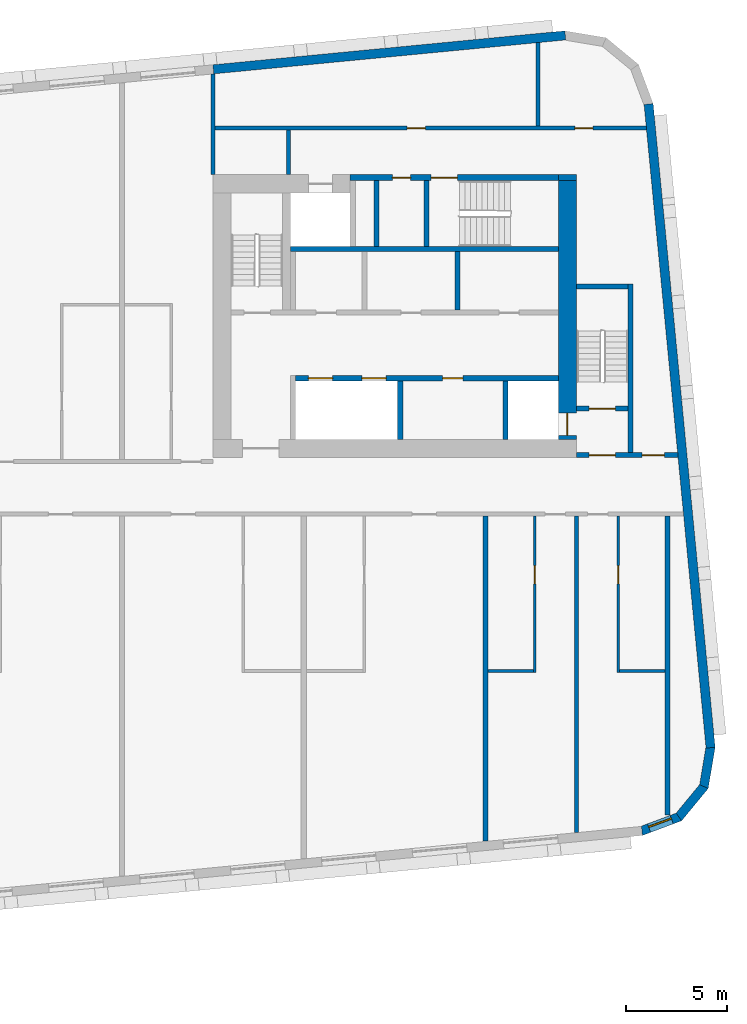
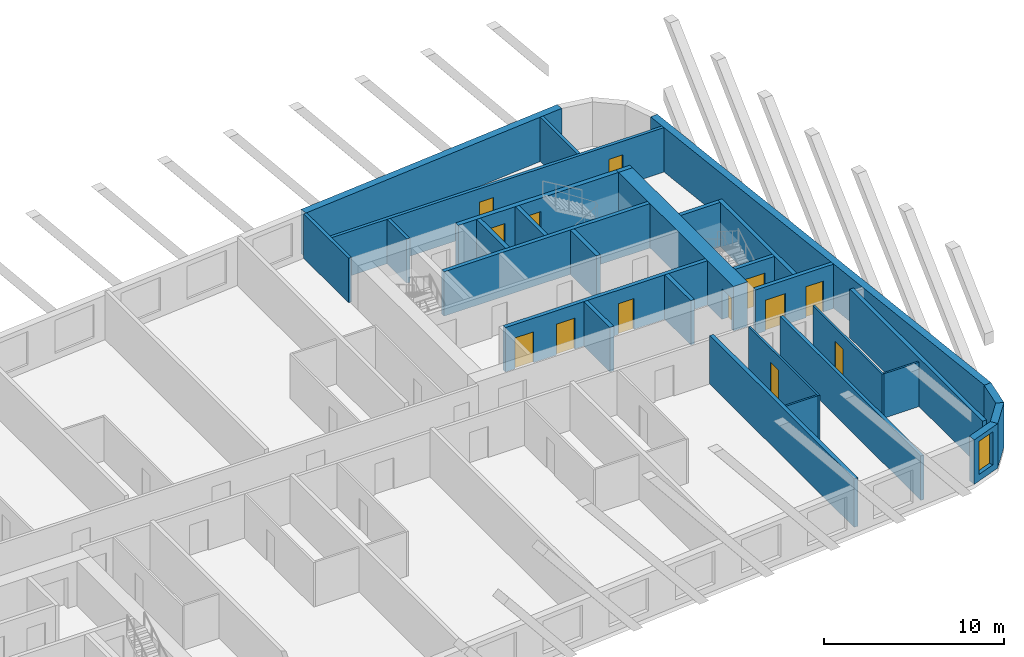
# One storey, part 6 of 12: 30 walls, 13 doors, 1 window, 14 openings.
"""IFC4 building model written with IfcOpenShell, lengths in metres."""

from ifc_helpers import new_model, si_unit, direction, frame, frame_2d, origin, place, context, subcontext, project, spatial, polyline, rectangle, outline, extrude, material, layer, layer_set, type_object, element, fill, save


model = new_model("IFC4")

# Units and contexts
model_context = context("Model", 3, precision=1e-05, world=origin(), true_north=direction((0.0, 1.0)))
body_context = subcontext(model_context, "Body", "Model", "MODEL_VIEW")
ifc_project = project(units=[si_unit("LENGTHUNIT", "METRE"), si_unit("AREAUNIT", "SQUARE_METRE"), si_unit("VOLUMEUNIT", "CUBIC_METRE"), si_unit("PLANEANGLEUNIT", "RADIAN"), si_unit("MASSUNIT", "GRAM", prefix="KILO")], contexts=[model_context])

# Site, building, storey
site_placement = place(None, origin())
site = spatial("IfcSite", under=ifc_project, at=site_placement, CompositionType="ELEMENT")
building_placement = place(site_placement, origin())
building = spatial("IfcBuilding", under=site, at=building_placement, Name="Kajstack Hotel Tower", CompositionType="ELEMENT")
storey_placement = place(building_placement, frame((0.0, 0.0, 268.5)))
storey = spatial("IfcBuildingStorey", under=building, at=storey_placement, Name="L66", CompositionType="ELEMENT", Elevation=268.5)

# Wall
ifc_material_1 = material(Name="Concrete C60/75", Category="concrete")
ifc_layer_1 = layer(ifc_material_1, 0.89990234375)
ifc_layer_set_1 = layer_set([ifc_layer_1], Name="Core wall 900")
wall_type_1 = type_object("IfcWallType", Name="Core wall 900", PredefinedType="SHEAR", material=ifc_layer_set_1)
wall_1_placement = place(storey_placement, frame((30.60009765625, 15.35009765625, 0.0), z_axis=(0.0, 0.0, 1.0), x_axis=(1.0, 0.0, 0.0)))
element("IfcWall", 1, at=wall_1_placement, inside=storey, type_object=wall_type_1, Name="Core wall E RSW", PredefinedType="SHEAR", context=body_context, shape_type="SweptSolid", body=[
    extrude(rectangle(XDim=0.89990234375, YDim=0.300048828125, at=frame_2d((0.449951171875, 0.0))), origin(), (0.0, 0.0, 1.0), 3.02001953125),
])

# Wall, opening, door
wall_2_placement = place(storey_placement, frame((31.050048828125, 2.39990234375, 0.0), z_axis=(0.0, 0.0, 1.0), x_axis=(0.0, 1.0, 0.0)))
wall_2 = element("IfcWall", 2, at=wall_2_placement, inside=storey, type_object=wall_type_1, Name="Core wall E RW", PredefinedType="SHEAR", context=body_context, shape_type="SweptSolid", body=[
    extrude(rectangle(XDim=12.800048828125, YDim=0.89990234375, at=frame_2d((6.39990234375, 0.0))), origin(), (0.0, 0.0, 1.0), 3.02001953125),
])
opening_1_placement = place(wall_2_placement, frame((0.199951171875, 0.0, 0.0)))
opening_1 = element("IfcOpeningElement", 3, at=opening_1_placement, cuts=wall_2, Name="Opening LD-FF2", PredefinedType="OPENING", context=body_context, shape_type="SweptSolid", body=[
    extrude(rectangle(XDim=1.10009765625, YDim=2.10009765625, at=frame_2d((0.550048828125, 1.050048828125))), frame((0.0, 0.4599609375, 0.0), z_axis=(0.0, -1.0, 0.0), x_axis=(1.0, 0.0, 0.0)), (0.0, 0.0, 1.0), 0.919921875),
])
ifc_material_2 = material(Name="Stainless steel", Category="steel")
door_type_1 = type_object("IfcDoorType", Name="Fire-fighting lift landing door 1100", OperationType="SLIDING_TO_LEFT", PredefinedType="DOOR", material=ifc_material_2)
door_1_placement = place(opening_1_placement, origin())
door_1 = element("IfcDoor", 4, at=door_1_placement, inside=storey, type_object=door_type_1, Name="Landing door FF2", OperationType="SLIDING_TO_LEFT", OverallHeight=2.10009765625, OverallWidth=1.10009765625, PredefinedType="DOOR", context=body_context, shape_type="SweptSolid", body=[
    extrude(rectangle(XDim=1.10009765625, YDim=2.10009765625, at=frame_2d((0.550048828125, 1.050048828125))), frame((0.0, 0.02490234375, 0.0), z_axis=(0.0, -1.0, 0.0), x_axis=(1.0, 0.0, 0.0)), (0.0, 0.0, 1.0), 0.050048828125),
])
fill(opening_1, door_1)

# Walls
ifc_material_3 = material(Name="Twin-frame gypsum board on steel studs, mineral wool", Category="steel")
ifc_layer_2 = layer(ifc_material_3, 0.199951171875)
ifc_layer_set_2 = layer_set([ifc_layer_2], Name="Demising wall 200")
wall_type_2 = type_object("IfcWallType", Name="Demising wall 200", PredefinedType="PARTITIONING", material=ifc_layer_set_2)
wall_3_placement = place(storey_placement, frame((13.5, 15.5, 0.0), z_axis=(0.0, 0.0, 1.0), x_axis=(0.0, 1.0, 0.0)))
element("IfcWall", 5, at=wall_3_placement, inside=storey, type_object=wall_type_2, Name="G-wall-L66-001", PredefinedType="PARTITIONING", context=body_context, shape_type="SweptSolid", body=[
    extrude(rectangle(XDim=4.985107421875, YDim=0.199951171875, at=frame_2d((2.49267578125, 0.0))), origin(), (0.0, 0.0, 1.0), 3.02001953125),
])
wall_4_placement = place(storey_placement, frame((31.5, -17.06298828125, 0.0), z_axis=(0.0, 0.0, 1.0), x_axis=(0.0, 1.0, 0.0)))
element("IfcWall", 6, at=wall_4_placement, inside=storey, type_object=wall_type_2, Name="G-wall-L66-029", PredefinedType="PARTITIONING", context=body_context, shape_type="SweptSolid", body=[
    extrude(rectangle(XDim=15.6630859375, YDim=0.199951171875, at=frame_2d((7.83154296875, 0.0))), origin(), (0.0, 0.0, 1.0), 3.02001953125),
])
ifc_material_4 = material(Name="Concrete C40/50", Category="concrete")
ifc_layer_3 = layer(ifc_material_4, 0.449951171875)
ifc_layer_set_3 = layer_set([ifc_layer_3], Name="EW-CORE")
wall_type_3 = type_object("IfcWallType", Name="EW-CORE", PredefinedType="SOLIDWALL", material=ifc_layer_set_3)
wall_5_placement = place(storey_placement, frame((30.94580078125, 22.390625, 0.0), z_axis=(0.0, 0.0, 1.0), x_axis=(-0.995396397117, -0.095843688398, 0.0)))
element("IfcWall", 7, at=wall_5_placement, inside=storey, type_object=wall_type_3, Name="E-wall-L66-12-00", PredefinedType="SOLIDWALL", context=body_context, shape_type="SweptSolid", body=[
    extrude(rectangle(XDim=17.5048828125, YDim=0.449951171875, at=frame_2d((8.75244140625, 0.0))), origin(), (0.0, 0.0, 1.0), 3.02001953125),
])

# Wall, opening, window
ifc_material_5 = material(Name="Terracotta-faced brick masonry", Category="masonry")
ifc_layer_4 = layer(ifc_material_5, 0.449951171875)
ifc_layer_set_4 = layer_set([ifc_layer_4], Name="EW-TERRA")
wall_type_4 = type_object("IfcWallType", Name="EW-TERRA", PredefinedType="SOLIDWALL", material=ifc_layer_set_4)
wall_6_placement = place(storey_placement, frame((34.67919921875, -16.990478515625, 0.0), z_axis=(0.0, 0.0, 1.0), x_axis=(0.936677599948, 0.350192909346, 0.0)))
wall_6 = element("IfcWall", 8, at=wall_6_placement, inside=storey, type_object=wall_type_4, Name="E-wall-L66-05-00", PredefinedType="SOLIDWALL", context=body_context, shape_type="SweptSolid", body=[
    extrude(outline(polyline([(0.0, -0.22509765625), (2.070556640625, -0.22509765625), (1.949951171875, 0.22509765625), (0.12060546875, 0.22509765625), (0.0, -0.22509765625)])), origin(), (0.0, 0.0, 1.0), 3.02001953125),
])
opening_2_placement = place(wall_6_placement, frame((0.435302734375, 0.0, 0.449951171875)))
opening_2 = element("IfcOpeningElement", 9, at=opening_2_placement, cuts=wall_6, Name="Opening W3", PredefinedType="OPENING", context=body_context, shape_type="SweptSolid", body=[
    extrude(rectangle(XDim=1.199951171875, YDim=2.25, at=frame_2d((0.60009765625, 1.125))), frame((0.0, 0.23486328125, 0.0), z_axis=(0.0, -1.0, 0.0), x_axis=(1.0, 0.0, 0.0)), (0.0, 0.0, 1.0), 0.469970703125),
])
ifc_material_6 = material(Name="Timber-aluminium window, triple glazed", Category="wood")
window_type = type_object("IfcWindowType", Name="WG3", PartitioningType="SINGLE_PANEL", PredefinedType="WINDOW", material=ifc_material_6)
window_placement = place(opening_2_placement, origin())
window = element("IfcWindow", 10, at=window_placement, inside=storey, type_object=window_type, Name="Window W3 L66-05", OverallHeight=2.25, OverallWidth=1.199951171875, PartitioningType="SINGLE_PANEL", PredefinedType="WINDOW", context=body_context, shape_type="SweptSolid", body=[
    extrude(rectangle(XDim=1.199951171875, YDim=2.25, at=frame_2d((0.60009765625, 1.125))), frame((0.0, 0.090087890625, 0.0), z_axis=(0.0, -1.0, 0.0), x_axis=(1.0, 0.0, 0.0)), (0.0, 0.0, 1.0), 0.06005859375),
])
fill(opening_2, window)

# Walls
wall_7_placement = place(storey_placement, frame((36.52392578125, -16.3330078125, 0.0), z_axis=(0.0, 0.0, 1.0), x_axis=(0.636046112757, 0.771651049663, 0.0)))
element("IfcWall", 11, at=wall_7_placement, inside=storey, type_object=wall_type_4, Name="E-wall-L66-06-00", PredefinedType="SOLIDWALL", context=body_context, shape_type="SweptSolid", body=[
    extrude(outline(polyline([(0.0, -0.224853515625), (2.070556640625, -0.22509765625), (1.949951171875, 0.22509765625), (0.12060546875, 0.22509765625), (0.0, -0.224853515625)])), origin(), (0.0, 0.0, 1.0), 3.02001953125),
])
wall_8_placement = place(storey_placement, frame((37.79248046875, -14.84130859375, 0.0), z_axis=(0.0, 0.0, 1.0), x_axis=(0.165068144653, 0.986282164302, 0.0)))
element("IfcWall", 12, at=wall_8_placement, inside=storey, type_object=wall_type_4, Name="E-wall-L66-07-00", PredefinedType="SOLIDWALL", context=body_context, shape_type="SweptSolid", body=[
    extrude(outline(polyline([(0.0, -0.22509765625), (2.070556640625, -0.22509765625), (1.949951171875, 0.224853515625), (0.12060546875, 0.224853515625), (0.0, -0.22509765625)])), origin(), (0.0, 0.0, 1.0), 3.02001953125),
])
wall_9_placement = place(storey_placement, frame((38.13232421875, -12.85791015625, 0.0), z_axis=(0.0, 0.0, 1.0), x_axis=(-0.095847749461, 0.995396006082, 0.0)))
element("IfcWall", 13, at=wall_9_placement, inside=storey, type_object=wall_type_4, Name="E-wall-L66-08-00", PredefinedType="SOLIDWALL", context=body_context, shape_type="SweptSolid", body=[
    extrude(rectangle(XDim=32.0, YDim=0.449951171875, at=frame_2d((16.0, 0.0))), origin(), (0.0, 0.0, 1.0), 3.02001953125),
])

# Wall, opening, door
ifc_material_7 = material(Name="Gypsum board and tiled backer on steel studs", Category="steel")
ifc_layer_5 = layer(ifc_material_7, 0.125)
ifc_layer_set_5 = layer_set([ifc_layer_5], Name="En-suite wall 125")
wall_type_5 = type_object("IfcWallType", Name="En-suite wall 125", PredefinedType="PARTITIONING", material=ifc_layer_set_5)
wall_10_placement = place(storey_placement, frame((29.43798828125, -9.125, 0.0), z_axis=(0.0, 0.0, 1.0), x_axis=(0.0, 1.0, 0.0)))
wall_10 = element("IfcWall", 14, at=wall_10_placement, inside=storey, type_object=wall_type_5, Name="G-wall-L66-030", PredefinedType="PARTITIONING", context=body_context, shape_type="SweptSolid", body=[
    extrude(rectangle(XDim=7.72509765625, YDim=0.125, at=frame_2d((3.862548828125, 0.0))), origin(), (0.0, 0.0, 1.0), 3.02001953125),
])
opening_3_placement = place(wall_10_placement, frame((4.375, 0.0, 0.0)))
opening_3 = element("IfcOpeningElement", 15, at=opening_3_placement, cuts=wall_10, Name="Opening 66026", PredefinedType="OPENING", context=body_context, shape_type="SweptSolid", body=[
    extrude(rectangle(XDim=0.89990234375, YDim=2.10009765625, at=frame_2d((0.449951171875, 1.050048828125))), frame((0.0, 0.072509765625, 0.0), z_axis=(0.0, -1.0, 0.0), x_axis=(1.0, 0.0, 0.0)), (0.0, 0.0, 1.0), 0.14501953125),
])
ifc_material_8 = material(Name="Painted timber door leaf", Category="wood")
door_type_2 = type_object("IfcDoorType", Name="Room door 900", OperationType="SINGLE_SWING_LEFT", PredefinedType="DOOR", material=ifc_material_8)
door_2_placement = place(opening_3_placement, origin())
door_2 = element("IfcDoor", 16, at=door_2_placement, inside=storey, type_object=door_type_2, Name="G-door-L66-26", OperationType="SINGLE_SWING_RIGHT", OverallHeight=2.10009765625, OverallWidth=0.89990234375, PredefinedType="DOOR", context=body_context, shape_type="SweptSolid", body=[
    extrude(rectangle(XDim=0.89990234375, YDim=2.10009765625, at=frame_2d((0.449951171875, 1.050048828125))), frame((0.0, 0.02490234375, 0.0), z_axis=(0.0, -1.0, 0.0), x_axis=(1.0, 0.0, 0.0)), (0.0, 0.0, 1.0), 0.050048828125),
])
fill(opening_3, door_2)

# Wall
wall_11_placement = place(storey_placement, frame((27.125, -9.06201171875, 0.0), z_axis=(0.0, 0.0, 1.0), x_axis=(1.0, 0.0, 0.0)))
element("IfcWall", 17, at=wall_11_placement, inside=storey, type_object=wall_type_5, Name="G-wall-L66-031", PredefinedType="PARTITIONING", context=body_context, shape_type="SweptSolid", body=[
    extrude(rectangle(XDim=2.25, YDim=0.125, at=frame_2d((1.125, 0.0))), origin(), (0.0, 0.0, 1.0), 3.02001953125),
])

# Wall, opening, door
wall_12_placement = place(storey_placement, frame((33.56201171875, -9.125, 0.0), z_axis=(0.0, 0.0, 1.0), x_axis=(0.0, 1.0, 0.0)))
wall_12 = element("IfcWall", 18, at=wall_12_placement, inside=storey, type_object=wall_type_5, Name="G-wall-L66-032", PredefinedType="PARTITIONING", context=body_context, shape_type="SweptSolid", body=[
    extrude(rectangle(XDim=7.72509765625, YDim=0.125, at=frame_2d((3.862548828125, 0.0))), origin(), (0.0, 0.0, 1.0), 3.02001953125),
])
opening_4_placement = place(wall_12_placement, frame((4.375, 0.0, 0.0)))
opening_4 = element("IfcOpeningElement", 19, at=opening_4_placement, cuts=wall_12, Name="Opening 66028", PredefinedType="OPENING", context=body_context, shape_type="SweptSolid", body=[
    extrude(rectangle(XDim=0.89990234375, YDim=2.10009765625, at=frame_2d((0.449951171875, 1.050048828125))), frame((0.0, 0.072509765625, 0.0), z_axis=(0.0, -1.0, 0.0), x_axis=(1.0, 0.0, 0.0)), (0.0, 0.0, 1.0), 0.14501953125),
])
door_3_placement = place(opening_4_placement, origin())
door_3 = element("IfcDoor", 20, at=door_3_placement, inside=storey, type_object=door_type_2, Name="G-door-L66-28", OperationType="SINGLE_SWING_LEFT", OverallHeight=2.10009765625, OverallWidth=0.89990234375, PredefinedType="DOOR", context=body_context, shape_type="SweptSolid", body=[
    extrude(rectangle(XDim=0.89990234375, YDim=2.10009765625, at=frame_2d((0.449951171875, 1.050048828125))), frame((0.0, 0.02490234375, 0.0), z_axis=(0.0, -1.0, 0.0), x_axis=(1.0, 0.0, 0.0)), (0.0, 0.0, 1.0), 0.050048828125),
])
fill(opening_4, door_3)

# Walls
wall_13_placement = place(storey_placement, frame((33.625, -9.06201171875, 0.0), z_axis=(0.0, 0.0, 1.0), x_axis=(1.0, 0.0, 0.0)))
element("IfcWall", 21, at=wall_13_placement, inside=storey, type_object=wall_type_5, Name="G-wall-L66-033", PredefinedType="PARTITIONING", context=body_context, shape_type="SweptSolid", body=[
    extrude(rectangle(XDim=2.25, YDim=0.125, at=frame_2d((1.125, 0.0))), origin(), (0.0, 0.0, 1.0), 3.02001953125),
])
ifc_material_9 = material(Name="Concrete C50/60", Category="concrete")
ifc_layer_6 = layer(ifc_material_9, 0.300048828125)
ifc_layer_set_6 = layer_set([ifc_layer_6], Name="Hoistway divider wall 300")
wall_type_6 = type_object("IfcWallType", Name="Hoistway divider wall 300", PredefinedType="SHEAR", material=ifc_layer_set_6)
wall_14_placement = place(storey_placement, frame((22.77490234375, 2.39990234375, 0.0), z_axis=(0.0, 0.0, 1.0), x_axis=(0.0, 1.0, 0.0)))
element("IfcWall", 22, at=wall_14_placement, inside=storey, type_object=wall_type_6, Name="Core wall E AP2", PredefinedType="SHEAR", context=body_context, shape_type="SweptSolid", body=[
    extrude(rectangle(XDim=2.900146484375, YDim=0.25, at=frame_2d((1.4501953125, 0.0))), origin(), (0.0, 0.0, 1.0), 3.02001953125),
])
ifc_layer_7 = layer(ifc_material_4, 0.25)
ifc_layer_set_7 = layer_set([ifc_layer_7], Name="RC cross wall 250 C40/50")
wall_type_7 = type_object("IfcWallType", Name="RC cross wall 250 C40/50", PredefinedType="SHEAR", material=ifc_layer_set_7)
wall_15_placement = place(storey_placement, frame((27.0, -17.47412109375, 0.0), z_axis=(0.0, 0.0, 1.0), x_axis=(0.0, 1.0, 0.0)))
element("IfcWall", 23, at=wall_15_placement, inside=storey, type_object=wall_type_7, Name="S-wall-L66-11", PredefinedType="SHEAR", context=body_context, shape_type="SweptSolid", body=[
    extrude(rectangle(XDim=16.07421875, YDim=0.25, at=frame_2d((8.037109375, 0.0))), origin(), (0.0, 0.0, 1.0), 3.300048828125),
])
wall_16_placement = place(storey_placement, frame((36.0, -16.198974609375, 0.0), z_axis=(0.0, 0.0, 1.0), x_axis=(0.0, 1.0, 0.0)))
element("IfcWall", 24, at=wall_16_placement, inside=storey, type_object=wall_type_7, Name="S-wall-L66-12", PredefinedType="SHEAR", context=body_context, shape_type="SweptSolid", body=[
    extrude(rectangle(XDim=14.799072265625, YDim=0.25, at=frame_2d((7.3994140625, 0.0))), origin(), (0.0, 0.0, 1.0), 3.300048828125),
])
ifc_material_10 = material(Name="Concrete block masonry", Category="masonry")
ifc_layer_8 = layer(ifc_material_10, 0.25)
ifc_layer_set_8 = layer_set([ifc_layer_8], Name="Riser partition 250")
wall_type_8 = type_object("IfcWallType", Name="Riser partition 250", PredefinedType="PARTITIONING", material=ifc_layer_set_8)
wall_17_placement = place(storey_placement, frame((25.60009765625, 8.800048828125, 0.0), z_axis=(0.0, 0.0, 1.0), x_axis=(0.0, 1.0, 0.0)))
element("IfcWall", 25, at=wall_17_placement, inside=storey, type_object=wall_type_8, Name="Partition E BF0", PredefinedType="PARTITIONING", context=body_context, shape_type="SweptSolid", body=[
    extrude(rectangle(XDim=2.89990234375, YDim=0.25, at=frame_2d((1.449951171875, 0.0))), origin(), (0.0, 0.0, 1.0), 3.02001953125),
])
wall_18_placement = place(storey_placement, frame((21.60009765625, 11.949951171875, 0.0), z_axis=(0.0, 0.0, 1.0), x_axis=(0.0, 1.0, 0.0)))
element("IfcWall", 26, at=wall_18_placement, inside=storey, type_object=wall_type_8, Name="Partition E SZ0", PredefinedType="PARTITIONING", context=body_context, shape_type="SweptSolid", body=[
    extrude(rectangle(XDim=3.25, YDim=0.25, at=frame_2d((1.625, 0.0))), origin(), (0.0, 0.0, 1.0), 3.02001953125),
])

# Wall, openings, doors
ifc_material_11 = material(Name="Gypsum board on steel studs, mineral wool", Category="steel")
ifc_layer_9 = layer(ifc_material_11, 0.199951171875)
ifc_layer_set_9 = layer_set([ifc_layer_9], Name="Service partition 200")
wall_type_9 = type_object("IfcWallType", Name="Service partition 200", PredefinedType="PARTITIONING", material=ifc_layer_set_9)
wall_19_placement = place(storey_placement, frame((31.5, 1.625, 0.0), z_axis=(0.0, 0.0, 1.0), x_axis=(1.0, 0.0, 0.0)))
wall_19 = element("IfcWall", 27, at=wall_19_placement, inside=storey, type_object=wall_type_9, Name="Partition E SN", PredefinedType="PARTITIONING", context=body_context, shape_type="SweptSolid", body=[
    extrude(rectangle(XDim=5.01171875, YDim=0.25, at=frame_2d((2.505859375, 0.0))), origin(), (0.0, 0.0, 1.0), 3.02001953125),
])
opening_5_placement = place(wall_19_placement, frame((0.625, 0.0, 0.0)))
opening_5 = element("IfcOpeningElement", 28, at=opening_5_placement, cuts=wall_19, Name="Opening 66E06", PredefinedType="OPENING", context=body_context, shape_type="SweptSolid", body=[
    extrude(rectangle(XDim=1.300048828125, YDim=2.10009765625, at=frame_2d((0.64990234375, 1.050048828125))), frame((0.0, 0.135009765625, 0.0), z_axis=(0.0, -1.0, 0.0), x_axis=(1.0, 0.0, 0.0)), (0.0, 0.0, 1.0), 0.27001953125),
])
opening_6_placement = place(wall_19_placement, frame((3.25, 0.0, 0.0)))
opening_6 = element("IfcOpeningElement", 29, at=opening_6_placement, cuts=wall_19, Name="Opening 66E08", PredefinedType="OPENING", context=body_context, shape_type="SweptSolid", body=[
    extrude(rectangle(XDim=1.10009765625, YDim=2.10009765625, at=frame_2d((0.550048828125, 1.050048828125))), frame((0.0, 0.135009765625, 0.0), z_axis=(0.0, -1.0, 0.0), x_axis=(1.0, 0.0, 0.0)), (0.0, 0.0, 1.0), 0.27001953125),
])
ifc_material_12 = material(Name="Steel leaf, fire-rated", Category="steel")
door_type_3 = type_object("IfcDoorType", Name="Fire lobby door 1300", OperationType="SINGLE_SWING_LEFT", PredefinedType="DOOR", material=ifc_material_12)
door_4_placement = place(opening_5_placement, origin())
door_4 = element("IfcDoor", 30, at=door_4_placement, inside=storey, type_object=door_type_3, Name="Door 66E06", OperationType="SINGLE_SWING_LEFT", OverallHeight=2.10009765625, OverallWidth=1.300048828125, PredefinedType="DOOR", context=body_context, shape_type="SweptSolid", body=[
    extrude(rectangle(XDim=1.300048828125, YDim=2.10009765625, at=frame_2d((0.64990234375, 1.050048828125))), frame((0.0, 0.02490234375, 0.0), z_axis=(0.0, -1.0, 0.0), x_axis=(1.0, 0.0, 0.0)), (0.0, 0.0, 1.0), 0.050048828125),
])
fill(opening_5, door_4)
ifc_material_13 = material(Name="Timber leaf, fire-rated", Category="wood")
door_type_4 = type_object("IfcDoorType", Name="Service corridor door 1100", OperationType="SINGLE_SWING_LEFT", PredefinedType="DOOR", material=ifc_material_13)
door_5_placement = place(opening_6_placement, origin())
door_5 = element("IfcDoor", 31, at=door_5_placement, inside=storey, type_object=door_type_4, Name="Door 66E08", OperationType="SINGLE_SWING_LEFT", OverallHeight=2.10009765625, OverallWidth=1.10009765625, PredefinedType="DOOR", context=body_context, shape_type="SweptSolid", body=[
    extrude(rectangle(XDim=1.10009765625, YDim=2.10009765625, at=frame_2d((0.550048828125, 1.050048828125))), frame((0.0, 0.02490234375, 0.0), z_axis=(0.0, -1.0, 0.0), x_axis=(1.0, 0.0, 0.0)), (0.0, 0.0, 1.0), 0.050048828125),
])
fill(opening_6, door_5)

# Wall
wall_20_placement = place(storey_placement, frame((17.25, 15.5, 0.0), z_axis=(0.0, 0.0, 1.0), x_axis=(0.0, 1.0, 0.0)))
element("IfcWall", 32, at=wall_20_placement, inside=storey, type_object=wall_type_9, Name="Partition E SCE", PredefinedType="PARTITIONING", context=body_context, shape_type="SweptSolid", body=[
    extrude(rectangle(XDim=2.199951171875, YDim=0.199951171875, at=frame_2d((1.10009765625, 0.0))), origin(), (0.0, 0.0, 1.0), 3.02001953125),
])

# Wall, openings, doors
wall_21_placement = place(storey_placement, frame((13.60009765625, 17.800048828125, 0.0), z_axis=(0.0, 0.0, 1.0), x_axis=(1.0, 0.0, 0.0)))
wall_21 = element("IfcWall", 33, at=wall_21_placement, inside=storey, type_object=wall_type_9, Name="Partition E SLN", PredefinedType="PARTITIONING", context=body_context, shape_type="SweptSolid", body=[
    extrude(rectangle(XDim=21.35400390625, YDim=0.199951171875, at=frame_2d((10.677001953125, 0.0))), origin(), (0.0, 0.0, 1.0), 3.02001953125),
])
opening_7_placement = place(wall_21_placement, frame((17.8125, 0.0, 0.0)))
opening_7 = element("IfcOpeningElement", 34, at=opening_7_placement, cuts=wall_21, Name="Opening 66E16", PredefinedType="OPENING", context=body_context, shape_type="SweptSolid", body=[
    extrude(rectangle(XDim=0.89990234375, YDim=2.10009765625, at=frame_2d((0.449951171875, 1.050048828125))), frame((0.0, 0.10986328125, 0.0), z_axis=(0.0, -1.0, 0.0), x_axis=(1.0, 0.0, 0.0)), (0.0, 0.0, 1.0), 0.219970703125),
])
opening_8_placement = place(wall_21_placement, frame((9.512451171875, 0.0, 0.0)))
opening_8 = element("IfcOpeningElement", 35, at=opening_8_placement, cuts=wall_21, Name="Opening 66E17", PredefinedType="OPENING", context=body_context, shape_type="SweptSolid", body=[
    extrude(rectangle(XDim=0.89990234375, YDim=2.10009765625, at=frame_2d((0.449951171875, 1.050048828125))), frame((0.0, 0.10986328125, 0.0), z_axis=(0.0, -1.0, 0.0), x_axis=(1.0, 0.0, 0.0)), (0.0, 0.0, 1.0), 0.219970703125),
])
door_type_5 = type_object("IfcDoorType", Name="Service door 900", OperationType="SINGLE_SWING_LEFT", PredefinedType="DOOR", material=ifc_material_13)
door_6_placement = place(opening_7_placement, origin())
door_6 = element("IfcDoor", 36, at=door_6_placement, inside=storey, type_object=door_type_5, Name="Door 66E16", OperationType="SINGLE_SWING_LEFT", OverallHeight=2.10009765625, OverallWidth=0.89990234375, PredefinedType="DOOR", context=body_context, shape_type="SweptSolid", body=[
    extrude(rectangle(XDim=0.89990234375, YDim=2.10009765625, at=frame_2d((0.449951171875, 1.050048828125))), frame((0.0, 0.02490234375, 0.0), z_axis=(0.0, -1.0, 0.0), x_axis=(1.0, 0.0, 0.0)), (0.0, 0.0, 1.0), 0.050048828125),
])
fill(opening_7, door_6)
door_7_placement = place(opening_8_placement, origin())
door_7 = element("IfcDoor", 37, at=door_7_placement, inside=storey, type_object=door_type_5, Name="Door 66E17", OperationType="SINGLE_SWING_LEFT", OverallHeight=2.10009765625, OverallWidth=0.89990234375, PredefinedType="DOOR", context=body_context, shape_type="SweptSolid", body=[
    extrude(rectangle(XDim=0.89990234375, YDim=2.10009765625, at=frame_2d((0.449951171875, 1.050048828125))), frame((0.0, 0.02490234375, 0.0), z_axis=(0.0, -1.0, 0.0), x_axis=(1.0, 0.0, 0.0)), (0.0, 0.0, 1.0), 0.050048828125),
])
fill(opening_8, door_7)

# Wall
wall_22_placement = place(storey_placement, frame((29.60009765625, 17.89990234375, 0.0), z_axis=(0.0, 0.0, 1.0), x_axis=(0.0, 1.0, 0.0)))
element("IfcWall", 38, at=wall_22_placement, inside=storey, type_object=wall_type_9, Name="Partition E SLP0", PredefinedType="PARTITIONING", context=body_context, shape_type="SweptSolid", body=[
    extrude(rectangle(XDim=4.135986328125, YDim=0.199951171875, at=frame_2d((2.06787109375, 0.0))), origin(), (0.0, 0.0, 1.0), 3.02001953125),
])

# Wall, openings, doors
ifc_layer_10 = layer(ifc_material_9, 0.25)
ifc_layer_set_10 = layer_set([ifc_layer_10], Name="Shaft wall 250")
wall_type_10 = type_object("IfcWallType", Name="Shaft wall 250", PredefinedType="SHEAR", material=ifc_layer_set_10)
wall_23_placement = place(storey_placement, frame((20.300048828125, 15.35009765625, 0.0), z_axis=(0.0, 0.0, 1.0), x_axis=(1.0, 0.0, 0.0)))
wall_23 = element("IfcWall", 39, at=wall_23_placement, inside=storey, type_object=wall_type_10, Name="Core wall E RSS", PredefinedType="SHEAR", context=body_context, shape_type="SweptSolid", body=[
    extrude(rectangle(XDim=10.300048828125, YDim=0.300048828125, at=frame_2d((5.14990234375, 0.0))), origin(), (0.0, 0.0, 1.0), 3.02001953125),
])
opening_9_placement = place(wall_23_placement, frame((4.0, 0.0, 0.0)))
opening_9 = element("IfcOpeningElement", 40, at=opening_9_placement, cuts=wall_23, Name="Opening 66E10", PredefinedType="OPENING", context=body_context, shape_type="SweptSolid", body=[
    extrude(rectangle(XDim=1.300048828125, YDim=2.10009765625, at=frame_2d((0.64990234375, 1.050048828125))), frame((0.0, 0.159912109375, 0.0), z_axis=(0.0, -1.0, 0.0), x_axis=(1.0, 0.0, 0.0)), (0.0, 0.0, 1.0), 0.320068359375),
])
opening_10_placement = place(wall_23_placement, frame((2.08740234375, 0.0, 0.0)))
opening_10 = element("IfcOpeningElement", 41, at=opening_10_placement, cuts=wall_23, Name="Opening 66E11", PredefinedType="OPENING", context=body_context, shape_type="SweptSolid", body=[
    extrude(rectangle(XDim=0.89990234375, YDim=2.10009765625, at=frame_2d((0.449951171875, 1.050048828125))), frame((0.0, 0.159912109375, 0.0), z_axis=(0.0, -1.0, 0.0), x_axis=(1.0, 0.0, 0.0)), (0.0, 0.0, 1.0), 0.320068359375),
])
door_8_placement = place(opening_10_placement, origin())
door_8 = element("IfcDoor", 42, at=door_8_placement, inside=storey, type_object=door_type_5, Name="Door 66E11", OperationType="SINGLE_SWING_RIGHT", OverallHeight=2.10009765625, OverallWidth=0.89990234375, PredefinedType="DOOR", context=body_context, shape_type="SweptSolid", body=[
    extrude(rectangle(XDim=0.89990234375, YDim=2.10009765625, at=frame_2d((0.449951171875, 1.050048828125))), frame((0.0, 0.02490234375, 0.0), z_axis=(0.0, -1.0, 0.0), x_axis=(1.0, 0.0, 0.0)), (0.0, 0.0, 1.0), 0.050048828125),
])
fill(opening_10, door_8)
door_type_6 = type_object("IfcDoorType", Name="Stair door 1300", OperationType="SINGLE_SWING_LEFT", PredefinedType="DOOR", material=ifc_material_12)
door_9_placement = place(opening_9_placement, origin())
door_9 = element("IfcDoor", 43, at=door_9_placement, inside=storey, type_object=door_type_6, Name="Door 66E10", OperationType="SINGLE_SWING_LEFT", OverallHeight=2.10009765625, OverallWidth=1.300048828125, PredefinedType="DOOR", context=body_context, shape_type="SweptSolid", body=[
    extrude(rectangle(XDim=1.300048828125, YDim=2.10009765625, at=frame_2d((0.64990234375, 1.050048828125))), frame((0.0, 0.02490234375, 0.0), z_axis=(0.0, -1.0, 0.0), x_axis=(1.0, 0.0, 0.0)), (0.0, 0.0, 1.0), 0.050048828125),
])
fill(opening_9, door_9)

wall_24_placement = place(storey_placement, frame((17.60009765625, 5.425048828125, 0.0), z_axis=(0.0, 0.0, 1.0), x_axis=(1.0, 0.0, 0.0)))
wall_24 = element("IfcWall", 44, at=wall_24_placement, inside=storey, type_object=wall_type_10, Name="Core wall E FA", PredefinedType="SHEAR", context=body_context, shape_type="SweptSolid", body=[
    extrude(rectangle(XDim=13.0, YDim=0.25, at=frame_2d((6.5, 0.0))), origin(), (0.0, 0.0, 1.0), 3.02001953125),
])
opening_11_placement = place(wall_24_placement, frame((3.27490234375, 0.0, 0.0)))
opening_11 = element("IfcOpeningElement", 45, at=opening_11_placement, cuts=wall_24, Name="Opening LD-HR3", PredefinedType="OPENING", context=body_context, shape_type="SweptSolid", body=[
    extrude(rectangle(XDim=1.199951171875, YDim=2.10009765625, at=frame_2d((0.60009765625, 1.050048828125))), frame((0.0, 0.135009765625, 0.0), z_axis=(0.0, -1.0, 0.0), x_axis=(1.0, 0.0, 0.0)), (0.0, 0.0, 1.0), 0.27001953125),
])
opening_12_placement = place(wall_24_placement, frame((0.625, 0.0, 0.0)))
opening_12 = element("IfcOpeningElement", 46, at=opening_12_placement, cuts=wall_24, Name="Opening LD-HR4", PredefinedType="OPENING", context=body_context, shape_type="SweptSolid", body=[
    extrude(rectangle(XDim=1.199951171875, YDim=2.10009765625, at=frame_2d((0.60009765625, 1.050048828125))), frame((0.0, 0.135009765625, 0.0), z_axis=(0.0, -1.0, 0.0), x_axis=(1.0, 0.0, 0.0)), (0.0, 0.0, 1.0), 0.27001953125),
])
opening_13_placement = place(wall_24_placement, frame((7.27490234375, 0.0, 0.0)))
opening_13 = element("IfcOpeningElement", 47, at=opening_13_placement, cuts=wall_24, Name="Opening 66E15", PredefinedType="OPENING", context=body_context, shape_type="SweptSolid", body=[
    extrude(rectangle(XDim=1.0, YDim=2.10009765625, at=frame_2d((0.5, 1.050048828125))), frame((0.0, 0.135009765625, 0.0), z_axis=(0.0, -1.0, 0.0), x_axis=(1.0, 0.0, 0.0)), (0.0, 0.0, 1.0), 0.27001953125),
])
door_type_7 = type_object("IfcDoorType", Name="Lift landing door 1200", OperationType="SLIDING_TO_LEFT", PredefinedType="DOOR", material=ifc_material_2)
door_10_placement = place(opening_11_placement, origin())
door_10 = element("IfcDoor", 48, at=door_10_placement, inside=storey, type_object=door_type_7, Name="Landing door HR3", OperationType="SLIDING_TO_RIGHT", OverallHeight=2.10009765625, OverallWidth=1.199951171875, PredefinedType="DOOR", context=body_context, shape_type="SweptSolid", body=[
    extrude(rectangle(XDim=1.199951171875, YDim=2.10009765625, at=frame_2d((0.60009765625, 1.050048828125))), frame((0.0, 0.02490234375, 0.0), z_axis=(0.0, -1.0, 0.0), x_axis=(1.0, 0.0, 0.0)), (0.0, 0.0, 1.0), 0.050048828125),
])
fill(opening_11, door_10)
door_11_placement = place(opening_12_placement, origin())
door_11 = element("IfcDoor", 49, at=door_11_placement, inside=storey, type_object=door_type_7, Name="Landing door HR4", OperationType="SLIDING_TO_LEFT", OverallHeight=2.10009765625, OverallWidth=1.199951171875, PredefinedType="DOOR", context=body_context, shape_type="SweptSolid", body=[
    extrude(rectangle(XDim=1.199951171875, YDim=2.10009765625, at=frame_2d((0.60009765625, 1.050048828125))), frame((0.0, 0.02490234375, 0.0), z_axis=(0.0, -1.0, 0.0), x_axis=(1.0, 0.0, 0.0)), (0.0, 0.0, 1.0), 0.050048828125),
])
fill(opening_12, door_11)
door_type_8 = type_object("IfcDoorType", Name="Service room door 1000", OperationType="SINGLE_SWING_LEFT", PredefinedType="DOOR", material=ifc_material_13)
door_12_placement = place(opening_13_placement, origin())
door_12 = element("IfcDoor", 50, at=door_12_placement, inside=storey, type_object=door_type_8, Name="Door 66E15", OperationType="SINGLE_SWING_LEFT", OverallHeight=2.10009765625, OverallWidth=1.0, PredefinedType="DOOR", context=body_context, shape_type="SweptSolid", body=[
    extrude(rectangle(XDim=1.0, YDim=2.10009765625, at=frame_2d((0.5, 1.050048828125))), frame((0.0, 0.02490234375, 0.0), z_axis=(0.0, -1.0, 0.0), x_axis=(1.0, 0.0, 0.0)), (0.0, 0.0, 1.0), 0.050048828125),
])
fill(opening_13, door_12)

# Walls
wall_25_placement = place(storey_placement, frame((27.97509765625, 2.39990234375, 0.0), z_axis=(0.0, 0.0, 1.0), x_axis=(0.0, 1.0, 0.0)))
element("IfcWall", 51, at=wall_25_placement, inside=storey, type_object=wall_type_10, Name="Core wall E AP0", PredefinedType="SHEAR", context=body_context, shape_type="SweptSolid", body=[
    extrude(rectangle(XDim=2.900146484375, YDim=0.25, at=frame_2d((1.4501953125, 0.0))), origin(), (0.0, 0.0, 1.0), 3.02001953125),
])
wall_26_placement = place(storey_placement, frame((17.35009765625, 11.824951171875, 0.0), z_axis=(0.0, 0.0, 1.0), x_axis=(1.0, 0.0, 0.0)))
element("IfcWall", 52, at=wall_26_placement, inside=storey, type_object=wall_type_10, Name="Core wall E RB", PredefinedType="SHEAR", context=body_context, shape_type="SweptSolid", body=[
    extrude(rectangle(XDim=13.25, YDim=0.25, at=frame_2d((6.625, 0.0))), origin(), (0.0, 0.0, 1.0), 3.02001953125),
])

# Wall, opening, door
ifc_layer_11 = layer(ifc_material_4, 0.25)
ifc_layer_set_11 = layer_set([ifc_layer_11], Name="Stair enclosure wall 250")
wall_type_11 = type_object("IfcWallType", Name="Stair enclosure wall 250", PredefinedType="SHEAR", material=ifc_layer_set_11)
wall_27_placement = place(storey_placement, frame((31.5, 3.925048828125, 0.0), z_axis=(0.0, 0.0, 1.0), x_axis=(1.0, 0.0, 0.0)))
wall_27 = element("IfcWall", 53, at=wall_27_placement, inside=storey, type_object=wall_type_11, Name="Core wall E W1N", PredefinedType="SHEAR", context=body_context, shape_type="SweptSolid", body=[
    extrude(rectangle(XDim=2.550048828125, YDim=0.25, at=frame_2d((1.27490234375, 0.0))), origin(), (0.0, 0.0, 1.0), 3.02001953125),
])
opening_14_placement = place(wall_27_placement, frame((0.625, 0.0, 0.0)))
opening_14 = element("IfcOpeningElement", 54, at=opening_14_placement, cuts=wall_27, Name="Opening 66E07", PredefinedType="OPENING", context=body_context, shape_type="SweptSolid", body=[
    extrude(rectangle(XDim=1.300048828125, YDim=2.10009765625, at=frame_2d((0.64990234375, 1.050048828125))), frame((0.0, 0.135009765625, 0.0), z_axis=(0.0, -1.0, 0.0), x_axis=(1.0, 0.0, 0.0)), (0.0, 0.0, 1.0), 0.27001953125),
])
door_13_placement = place(opening_14_placement, origin())
door_13 = element("IfcDoor", 55, at=door_13_placement, inside=storey, type_object=door_type_6, Name="Door 66E07", OperationType="SINGLE_SWING_LEFT", OverallHeight=2.10009765625, OverallWidth=1.300048828125, PredefinedType="DOOR", context=body_context, shape_type="SweptSolid", body=[
    extrude(rectangle(XDim=1.300048828125, YDim=2.10009765625, at=frame_2d((0.64990234375, 1.050048828125))), frame((0.0, 0.02490234375, 0.0), z_axis=(0.0, -1.0, 0.0), x_axis=(1.0, 0.0, 0.0)), (0.0, 0.0, 1.0), 0.050048828125),
])
fill(opening_14, door_13)

# Walls
wall_28_placement = place(storey_placement, frame((34.175048828125, 1.75, 0.0), z_axis=(0.0, 0.0, 1.0), x_axis=(0.0, 1.0, 0.0)))
element("IfcWall", 56, at=wall_28_placement, inside=storey, type_object=wall_type_11, Name="Core wall E W1W", PredefinedType="SHEAR", context=body_context, shape_type="SweptSolid", body=[
    extrude(rectangle(XDim=8.35009765625, YDim=0.25, at=frame_2d((4.175048828125, 0.0))), origin(), (0.0, 0.0, 1.0), 3.02001953125),
])
wall_29_placement = place(storey_placement, frame((31.5, 9.97509765625, 0.0), z_axis=(0.0, 0.0, 1.0), x_axis=(1.0, 0.0, 0.0)))
element("IfcWall", 57, at=wall_29_placement, inside=storey, type_object=wall_type_11, Name="Core wall E W1S", PredefinedType="SHEAR", context=body_context, shape_type="SweptSolid", body=[
    extrude(rectangle(XDim=2.550048828125, YDim=0.25, at=frame_2d((1.27490234375, 0.0))), origin(), (0.0, 0.0, 1.0), 3.02001953125),
])
ifc_layer_12 = layer(ifc_material_9, 0.35009765625)
ifc_layer_set_12 = layer_set([ifc_layer_12], Name="Stair enclosure wall 350")
wall_type_12 = type_object("IfcWallType", Name="Stair enclosure wall 350", PredefinedType="SHEAR", material=ifc_layer_set_12)
wall_30_placement = place(storey_placement, frame((24.074951171875, 11.949951171875, 0.0), z_axis=(0.0, 0.0, 1.0), x_axis=(0.0, 1.0, 0.0)))
element("IfcWall", 58, at=wall_30_placement, inside=storey, type_object=wall_type_12, Name="Core wall E W3E", PredefinedType="SHEAR", context=body_context, shape_type="SweptSolid", body=[
    extrude(rectangle(XDim=3.25, YDim=0.25, at=frame_2d((1.625, 0.0))), origin(), (0.0, 0.0, 1.0), 3.02001953125),
])

save(model, "model.ifc")
